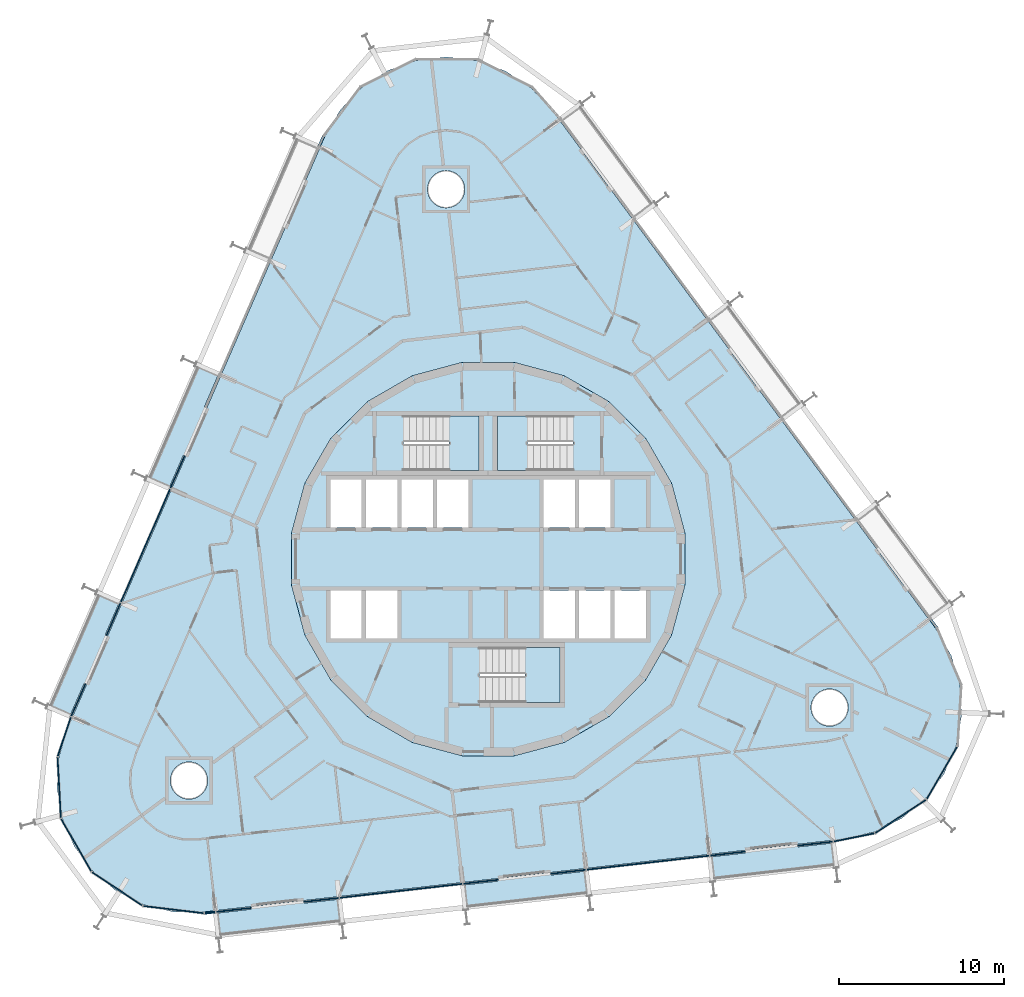
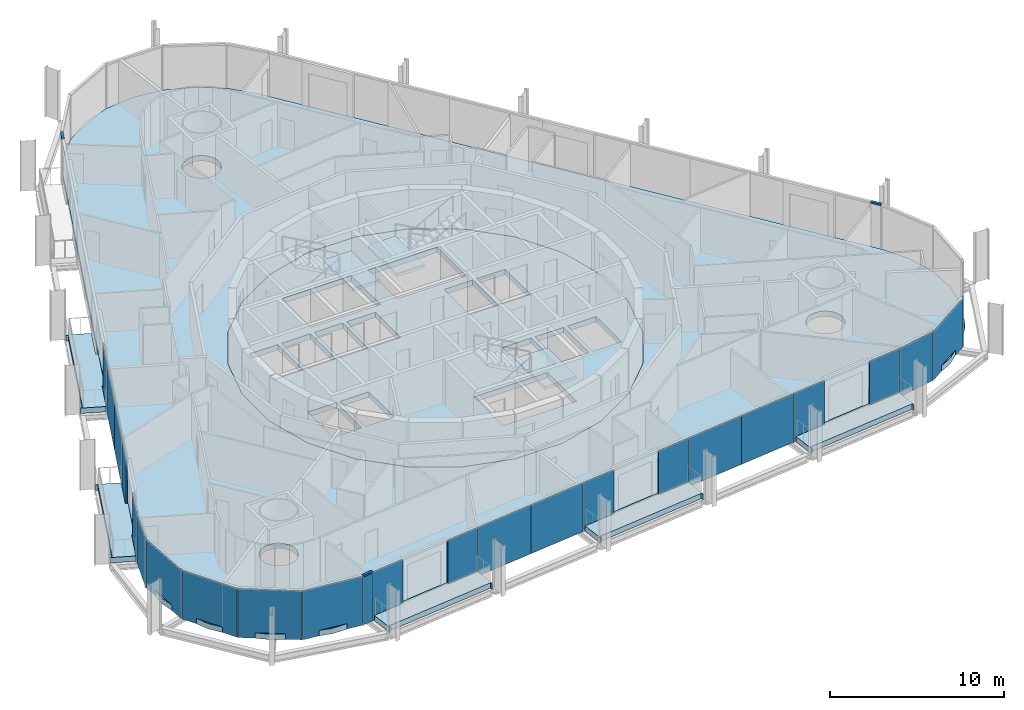
# One storey, part 12 of 22: 24 plates, 10 slabs, 3 members, 8 elements without a shape of their own.
"""IFC4 building model written with IfcOpenShell, lengths in metres."""

import ifcopenshell
import ifcopenshell.guid

model = None  # the IFC model being written
_history = None  # IfcOwnerHistory: only IFC2X3 demands one
_inside = {}  # id of a spatial element -> (the spatial element, [elements in it])
_under = {}  # id of a project, library or spatial element -> (it, [spatial elements below it])
_declared = {}  # id of a project -> (the project, [libraries it declares])
_typed = {}  # id of a type object -> (the type object, [elements of that type])
_made_of = {}  # id of a material, layer set ... -> (it, [elements and type objects made of it])


def new_model(schema):
    """Start an empty IFC model of exactly this schema.

    Asked for "IFC4X3", IfcOpenShell would pick the latest addendum, in which some entities
    have other attributes; the version numbers below select the first issue.
    IFC2X3 requires an IfcOwnerHistory on every rooted entity: one is made here for all.
    """
    global model, _history
    if schema == "IFC4X3":
        model = ifcopenshell.file(schema_version=(4, 3, 0, 0))
    else:
        model = ifcopenshell.file(schema=schema)
    _inside.clear()
    _under.clear()
    _declared.clear()
    _typed.clear()
    _made_of.clear()
    _history = None
    if model.schema == "IFC2X3":
        org = make("IfcOrganization", Name="unknown")
        user = make(
            "IfcPersonAndOrganization",
            ThePerson=make("IfcPerson", FamilyName="unknown"),
            TheOrganization=org,
        )
        app = make(
            "IfcApplication",
            ApplicationDeveloper=org,
            Version="unknown",
            ApplicationFullName="unknown",
            ApplicationIdentifier="unknown",
        )
        _history = make(
            "IfcOwnerHistory",
            OwningUser=user,
            OwningApplication=app,
            ChangeAction="ADDED",
            CreationDate=0,
        )
    return model


def make(cls, **values):
    """One entity of the class cls with the attributes given. An attribute that is None is left unset."""
    return model.create_entity(
        cls, **{name: value for name, value in values.items() if value is not None}
    )


def rooted(cls, **values):
    """An entity with a GlobalId (a new one), such as an element, a storey or a relation."""
    return make(cls, GlobalId=ifcopenshell.guid.new(), OwnerHistory=_history, **values)


def si_unit(unit_type, name, prefix=None):
    """IfcSIUnit, for example si_unit("LENGTHUNIT", "METRE", prefix="MILLI")."""
    return make("IfcSIUnit", UnitType=unit_type, Prefix=prefix, Name=name)


def assignment(units):
    """IfcUnitAssignment: the units of a project."""
    return None if units is None else make("IfcUnitAssignment", Units=units)


def point(xyz):
    """IfcCartesianPoint."""
    return None if xyz is None else make("IfcCartesianPoint", Coordinates=xyz)


def direction(xyz):
    """IfcDirection."""
    return None if xyz is None else make("IfcDirection", DirectionRatios=xyz)


def frame(location, z_axis=None, x_axis=None):
    """IfcAxis2Placement3D, a coordinate frame: its origin and axes. An axis left out is left unset."""
    return make(
        "IfcAxis2Placement3D",
        Location=point(location),
        Axis=direction(z_axis),
        RefDirection=direction(x_axis),
    )


def frame_2d(location, x_axis=None):
    """IfcAxis2Placement2D, a coordinate frame in the plane: its origin and x axis."""
    return make(
        "IfcAxis2Placement2D", Location=point(location), RefDirection=direction(x_axis)
    )


def origin():
    """The frame at (0, 0, 0) with its axes left unset."""
    return frame((0.0, 0.0, 0.0))


def origin_2d():
    """The frame at (0, 0) in the plane with its x axis left unset."""
    return frame_2d((0.0, 0.0))


def place(relative_to, where):
    """IfcLocalPlacement: puts the frame where relative to a parent placement (None: the world)."""
    return make(
        "IfcLocalPlacement", PlacementRelTo=relative_to, RelativePlacement=where
    )


def context(
    kind, dimensions, precision=None, world=None, true_north=None, identifier=None
):
    """IfcGeometricRepresentationContext, for example the 3D "Model" context."""
    return make(
        "IfcGeometricRepresentationContext",
        ContextIdentifier=identifier,
        ContextType=kind,
        CoordinateSpaceDimension=dimensions,
        Precision=precision,
        WorldCoordinateSystem=world,
        TrueNorth=true_north,
    )


def subcontext(parent, identifier, kind, view, scale=None):
    """IfcGeometricRepresentationSubContext, for example "Body" below "Model"."""
    return make(
        "IfcGeometricRepresentationSubContext",
        ContextIdentifier=identifier,
        ContextType=kind,
        ParentContext=parent,
        TargetScale=scale,
        TargetView=view,
    )


def project(units=None, contexts=None):
    """IfcProject with its units and contexts."""
    return rooted(
        "IfcProject",
        Name="project",
        RepresentationContexts=contexts,
        UnitsInContext=assignment(units),
    )


def spatial(cls, under=None, at=None, **own):
    """A site, building, storey or space (cls), placed at a placement, below another one or the project."""
    s = rooted(cls, ObjectPlacement=at, **own)
    if under is not None:
        _under.setdefault(under.id(), (under, []))[1].append(s)
    return s


def polyline(points):
    """IfcPolyline through the points."""
    return make("IfcPolyline", Points=[point(p) for p in points])


def profile(cls, at=None, kind="AREA", **sizes):
    """A parametric profile (cls). Its sizes go by their IFC names, for example OverallWidth=200.0."""
    return make(cls, ProfileType=kind, Position=at, **sizes)


def rectangle(**sizes):
    """IfcRectangleProfileDef."""
    return profile("IfcRectangleProfileDef", **sizes)


def outline(outer, holes=None, kind="AREA"):
    """IfcArbitraryClosedProfileDef: a profile drawn as a closed curve; with holes, ...WithVoids."""
    if holes is None:
        return make("IfcArbitraryClosedProfileDef", ProfileType=kind, OuterCurve=outer)
    return make(
        "IfcArbitraryProfileDefWithVoids",
        ProfileType=kind,
        OuterCurve=outer,
        InnerCurves=holes,
    )


def extrude(swept, where, along, depth):
    """IfcExtrudedAreaSolid: the profile swept, set in the frame where, extruded along a direction by depth."""
    return make(
        "IfcExtrudedAreaSolid",
        SweptArea=swept,
        Position=where,
        ExtrudedDirection=direction(along),
        Depth=depth,
    )


def shape(context_of_items, identifier, shape_type, items):
    """IfcShapeRepresentation: the items that make up one representation, for example the "Body"."""
    return make(
        "IfcShapeRepresentation",
        ContextOfItems=context_of_items,
        RepresentationIdentifier=identifier,
        RepresentationType=shape_type,
        Items=items,
    )


def material(Name=None, Category=None):
    """IfcMaterial."""
    return make("IfcMaterial", Name=Name, Category=Category)


def layer(
    of_material, thickness, ventilated=None, Name=None, Category=None, Priority=None
):
    """IfcMaterialLayer: one layer of a wall or slab, of a material (None: an air gap)."""
    return make(
        "IfcMaterialLayer",
        Material=of_material,
        LayerThickness=thickness,
        IsVentilated=ventilated,
        Name=Name,
        Category=Category,
        Priority=Priority,
    )


def layer_set(layers, Name=None):
    """IfcMaterialLayerSet."""
    return make("IfcMaterialLayerSet", MaterialLayers=layers, LayerSetName=Name)


def material_profile(
    of_material, cross_section, Name=None, Category=None, Priority=None
):
    """IfcMaterialProfile: a cross section and its material."""
    return make(
        "IfcMaterialProfile",
        Name=Name,
        Material=of_material,
        Profile=cross_section,
        Priority=Priority,
        Category=Category,
    )


def profile_set(profiles, Name=None, composite=None):
    """IfcMaterialProfileSet."""
    return make(
        "IfcMaterialProfileSet",
        Name=Name,
        MaterialProfiles=profiles,
        CompositeProfile=composite,
    )


def made_of(thing, what):
    """Note that an element or type object is made of a material, layer set ...; save() writes the relation."""
    if what is not None:
        _made_of.setdefault(what.id(), (what, []))[1].append(thing)
    return thing


def type_object(cls, material=None, **own):
    """A type object (cls), such as IfcWallType, which elements share."""
    return made_of(rooted(cls, **own), material)


def element(
    cls,
    number,
    at=None,
    inside=None,
    cuts=None,
    type_object=None,
    material=None,
    context=None,
    identifier="Body",
    shape_type=None,
    held_by="IfcProductDefinitionShape",
    body=None,
    shapes=None,
    **own,
):
    """One element of the class cls, such as IfcWall. Its Tag is "e" and its number.

    at: its placement. inside: the storey or other place that contains it. cuts: it is an
    opening in that element (IfcRelVoidsElement). A single representation is given by context,
    identifier, shape_type and body (its items); several are given by shapes. held_by: the class
    of the entity that holds the representations. save() writes the other relations.
    """
    e = rooted(cls, Tag="e%d" % number, ObjectPlacement=at, **own)
    if body is not None:
        shapes = [shape(context, identifier, shape_type, body)]
    if shapes is not None:
        e.Representation = make(held_by, Representations=shapes)
    if inside is not None:
        _inside.setdefault(inside.id(), (inside, []))[1].append(e)
    if cuts is not None:
        rooted(
            "IfcRelVoidsElement", RelatingBuildingElement=cuts, RelatedOpeningElement=e
        )
    if type_object is not None:
        _typed.setdefault(type_object.id(), (type_object, []))[1].append(e)
    return made_of(e, material)


def aggregate(whole, parts):
    """IfcRelAggregates: a whole, such as a stair, and the parts it consists of."""
    return rooted("IfcRelAggregates", RelatingObject=whole, RelatedObjects=parts)


def save(model, path):
    """Write the relations noted so far, then the file.

    IfcRelAggregates (storeys below a building ...), IfcRelContainedInSpatialStructure (elements
    in a storey), IfcRelDefinesByType, IfcRelAssociatesMaterial and IfcRelDeclares: one each for
    every whole, place, type object, material and project.
    """
    for whole, parts in _under.values():
        aggregate(whole, parts)
    for where, things in _inside.values():
        rooted(
            "IfcRelContainedInSpatialStructure",
            RelatedElements=things,
            RelatingStructure=where,
        )
    for kind, things in _typed.values():
        rooted("IfcRelDefinesByType", RelatedObjects=things, RelatingType=kind)
    for what, things in _made_of.values():
        rooted("IfcRelAssociatesMaterial", RelatedObjects=things, RelatingMaterial=what)
    for by, libraries in _declared.values():
        rooted("IfcRelDeclares", RelatingContext=by, RelatedDefinitions=libraries)
    model.write(path)


model = new_model("IFC4")

# Units and contexts
model_context = context("Model", 3, precision=1e-05, world=origin(), true_north=direction((0.0, 1.0)))
body_context = subcontext(model_context, "Body", "Model", "MODEL_VIEW")
ifc_project = project(units=[si_unit("LENGTHUNIT", "METRE"), si_unit("AREAUNIT", "SQUARE_METRE"), si_unit("VOLUMEUNIT", "CUBIC_METRE"), si_unit("PLANEANGLEUNIT", "RADIAN"), si_unit("MASSUNIT", "GRAM", prefix="KILO")], contexts=[model_context])

# Site, building, storey
site_placement = place(None, origin())
site = spatial("IfcSite", under=ifc_project, at=site_placement, CompositionType="ELEMENT")
building_placement = place(site_placement, origin())
building = spatial("IfcBuilding", under=site, at=building_placement, Name="Spindle Arch Residences", CompositionType="ELEMENT")
storey_placement = place(building_placement, frame((0.0, 0.0, 80.199951171875)))
storey = spatial("IfcBuildingStorey", under=building, at=storey_placement, Name="L18", CompositionType="ELEMENT", Elevation=80.199951171875)

# Curtain wall, member
ifc_material_1 = material(Name="Aluminium bronze unitised frame with tinted glass", Category="aluminium")
ifc_layer_1 = layer(ifc_material_1, 0.159912109375)
ifc_layer_set_1 = layer_set([ifc_layer_1], Name="CW-D corner wall on the fillet arcs")
curtain_wall_type_1 = type_object("IfcCurtainWallType", Name="CW-D corner wall on the fillet arcs", PredefinedType="NOTDEFINED", material=ifc_layer_set_1)
curtain_wall_1_placement = place(storey_placement, origin())
curtain_wall_1 = element("IfcCurtainWall", 1, at=curtain_wall_1_placement, inside=storey, type_object=curtain_wall_type_1, Name="CW-D L18 run 1", PredefinedType="NOTDEFINED")
ifc_material_2 = material(Name="Aluminium bronze anodised transom", Category="aluminium")
ifc_material_profile = material_profile(ifc_material_2, rectangle(XDim=0.159912109375, YDim=0.1201171875, at=origin_2d()), Name="TR 120x160")
ifc_profile_set = profile_set([ifc_material_profile], Name="Aluminium bronze anodised transom")
member_type = type_object("IfcMemberType", Name="Bronze transom 120x160", PredefinedType="USERDEFINED", material=ifc_profile_set)
member_1_placement = place(storey_placement, frame((27.125, -4.1474609375, 3.06005859375), z_axis=(-0.594872516249, 0.803820060344, 0.0), x_axis=(-0.803820060344, -0.594872516249, 0.0)))
member_1 = element("IfcMember", 2, at=member_1_placement, type_object=member_type, Name="CW-D transom 05", ObjectType="TRANSOM", PredefinedType="USERDEFINED", context=body_context, shape_type="SweptSolid", body=[
    extrude(rectangle(XDim=0.159912109375, YDim=0.1201171875, at=origin_2d()), origin(), (0.0, 0.0, 1.0), 0.641357421875),
])

curtain_wall_2_placement = place(storey_placement, origin())
curtain_wall_2 = element("IfcCurtainWall", 3, at=curtain_wall_2_placement, inside=storey, type_object=curtain_wall_type_1, Name="CW-D L18 run 3", PredefinedType="NOTDEFINED")
member_2_placement = place(storey_placement, frame((-9.970703125, 25.564697265625, 3.06005859375), z_axis=(-0.398461689222, -0.917184977102, 0.0), x_axis=(0.917184977102, -0.398461689222, 0.0)))
member_2 = element("IfcMember", 4, at=member_2_placement, type_object=member_type, Name="CW-D transom 05", ObjectType="TRANSOM", PredefinedType="USERDEFINED", context=body_context, shape_type="SweptSolid", body=[
    extrude(rectangle(XDim=0.159912109375, YDim=0.1201171875, at=origin_2d()), origin(), (0.0, 0.0, 1.0), 0.6416015625),
])
aggregate(curtain_wall_2, [member_2])

curtain_wall_3_placement = place(storey_placement, origin())
curtain_wall_3 = element("IfcCurtainWall", 5, at=curtain_wall_3_placement, inside=storey, type_object=curtain_wall_type_1, Name="CW-D L18 run 5", PredefinedType="NOTDEFINED")
member_3_placement = place(storey_placement, frame((-17.154296875, -21.417236328125, 3.06005859375), z_axis=(0.993549832432, 0.113396342422, 0.0), x_axis=(-0.113396342422, 0.993549832432, 0.0)))
member_3 = element("IfcMember", 6, at=member_3_placement, type_object=member_type, Name="CW-D transom 05", ObjectType="TRANSOM", PredefinedType="USERDEFINED", context=body_context, shape_type="SweptSolid", body=[
    extrude(rectangle(XDim=0.159912109375, YDim=0.1201171875, at=origin_2d()), origin(), (0.0, 0.0, 1.0), 0.6416015625),
])

# Slabs
ifc_material_3 = material(Name="Concrete C40/50", Category="concrete")
ifc_layer_2 = layer(ifc_material_3, 0.3798828125)
ifc_layer_set_2 = layer_set([ifc_layer_2], Name="Balcony slab 380")
slab_type_1 = type_object("IfcSlabType", Name="Balcony slab 380", PredefinedType="FLOOR", material=ifc_layer_set_2)
slab_1_placement = place(storey_placement, frame((0.0, 0.0, -0.3798828125)))
element("IfcSlab", 7, at=slab_1_placement, inside=storey, type_object=slab_type_1, Name="Balcony L18 bay 2", PredefinedType="FLOOR", context=body_context, shape_type="SweptSolid", body=[
    extrude(outline(polyline([(13.64697265625, -19.48779296875), (13.7216796875, -19.4794921875), (13.70458984375, -19.330322265625), (20.876953125, -18.51318359375), (20.89404296875, -18.662109375), (20.968505859375, -18.65380859375), (20.7998046875, -17.17333984375), (18.728759765625, -17.4091796875), (18.710693359375, -17.250244140625), (15.53125, -17.612548828125), (15.54931640625, -17.771484375), (13.478271484375, -18.007568359375), (13.64697265625, -19.48779296875)])), origin(), (0.0, 0.0, 1.0), 0.3798828125),
])
slab_2_placement = place(storey_placement, frame((0.0, 0.0, -0.3798828125)))
element("IfcSlab", 8, at=slab_2_placement, inside=storey, type_object=slab_type_1, Name="Balcony L18 bay 16", PredefinedType="FLOOR", context=body_context, shape_type="SweptSolid", body=[
    extrude(outline(polyline([(-17.704345703125, 11.715576171875), (-17.734130859375, 11.64697265625), (-17.5966796875, 11.587158203125), (-20.47509765625, 4.967041015625), (-20.61279296875, 5.02685546875), (-20.642578125, 4.9580078125), (-19.276123046875, 4.36376953125), (-18.445068359375, 6.275390625), (-18.29833984375, 6.211669921875), (-17.022216796875, 9.146240234375), (-17.1689453125, 9.2099609375), (-16.337890625, 11.12158203125), (-17.704345703125, 11.715576171875)])), origin(), (0.0, 0.0, 1.0), 0.3798828125),
])
slab_3_placement = place(storey_placement, frame((0.0, 0.0, -0.3798828125)))
element("IfcSlab", 9, at=slab_3_placement, inside=storey, type_object=slab_type_1, Name="Balcony L18 bay 18", PredefinedType="FLOOR", context=body_context, shape_type="SweptSolid", body=[
    extrude(outline(polyline([(-23.700439453125, -2.07470703125), (-23.73046875, -2.1435546875), (-23.5927734375, -2.203369140625), (-26.471435546875, -8.823486328125), (-26.60888671875, -8.763671875), (-26.638916015625, -8.832275390625), (-25.2724609375, -9.426513671875), (-24.441162109375, -7.514892578125), (-24.29443359375, -7.578857421875), (-23.0185546875, -4.644287109375), (-23.165283203125, -4.580322265625), (-22.334228515625, -2.6689453125), (-23.700439453125, -2.07470703125)])), origin(), (0.0, 0.0, 1.0), 0.3798828125),
])
slab_4_placement = place(storey_placement, frame((0.0, 0.0, -0.3798828125)))
element("IfcSlab", 10, at=slab_4_placement, inside=storey, type_object=slab_type_1, Name="Balcony L18 bay 22", PredefinedType="FLOOR", context=body_context, shape_type="SweptSolid", body=[
    extrude(outline(polyline([(-16.23486328125, -22.892578125), (-16.160400390625, -22.884033203125), (-16.177490234375, -22.735107421875), (-9.0048828125, -21.917724609375), (-8.988037109375, -22.06689453125), (-8.91357421875, -22.058349609375), (-9.08203125, -20.577880859375), (-11.153076171875, -20.81396484375), (-11.171142578125, -20.655029296875), (-14.3505859375, -21.01708984375), (-14.33251953125, -21.176025390625), (-16.403564453125, -21.412109375), (-16.23486328125, -22.892578125)])), origin(), (0.0, 0.0, 1.0), 0.3798828125),
])
slab_5_placement = place(storey_placement, frame((0.0, 0.0, -0.3798828125)))
element("IfcSlab", 11, at=slab_5_placement, inside=storey, type_object=slab_type_1, Name="Balcony L18 bay 24", PredefinedType="FLOOR", context=body_context, shape_type="SweptSolid", body=[
    extrude(outline(polyline([(-1.2939453125, -21.190185546875), (-1.219482421875, -21.181640625), (-1.236328125, -21.03271484375), (5.93603515625, -20.215576171875), (5.953125, -20.364501953125), (6.027587890625, -20.35595703125), (5.85888671875, -18.875732421875), (3.787841796875, -19.111572265625), (3.769775390625, -18.95263671875), (0.59033203125, -19.31494140625), (0.6083984375, -19.473876953125), (-1.462646484375, -19.709716796875), (-1.2939453125, -21.190185546875)])), origin(), (0.0, 0.0, 1.0), 0.3798828125),
])
ifc_material_4 = material(Name="Concrete C50/60", Category="concrete")
ifc_layer_3 = layer(ifc_material_4, 0.3798828125)
ifc_layer_set_3 = layer_set([ifc_layer_3], Name="Core floor slab 380")
slab_type_2 = type_object("IfcSlabType", Name="Core floor slab 380", PredefinedType="FLOOR", material=ifc_layer_set_3)
slab_6_placement = place(storey_placement, frame((0.0, 0.0, -0.3798828125)))
element("IfcSlab", 12, at=slab_6_placement, inside=storey, type_object=slab_type_2, Name="Core floor L18", PredefinedType="FLOOR", context=body_context, shape_type="SweptSolid", body=[
    extrude(outline(polyline([(1.56640625, -11.897216796875), (4.59228515625, -11.086669921875), (7.30517578125, -9.520263671875), (9.520263671875, -7.30517578125), (11.086669921875, -4.59228515625), (11.897216796875, -1.56640625), (11.897216796875, 1.56640625), (11.086669921875, 4.59228515625), (9.520263671875, 7.30517578125), (7.30517578125, 9.520263671875), (4.59228515625, 11.086669921875), (1.56640625, 11.897216796875), (-1.56640625, 11.897216796875), (-4.59228515625, 11.086669921875), (-7.30517578125, 9.520263671875), (-9.520263671875, 7.30517578125), (-11.086669921875, 4.59228515625), (-11.897216796875, 1.56640625), (-11.897216796875, -1.56640625), (-11.086669921875, -4.59228515625), (-9.520263671875, -7.30517578125), (-7.30517578125, -9.520263671875), (-4.59228515625, -11.086669921875), (-1.56640625, -11.897216796875), (1.56640625, -11.897216796875)]), holes=[polyline([(-9.550048828125, 1.89990234375), (-7.64990234375, 1.89990234375), (-7.64990234375, 4.800048828125), (-9.550048828125, 4.800048828125), (-9.550048828125, 1.89990234375)]), polyline([(-7.39990234375, 1.89990234375), (-5.5, 1.89990234375), (-5.5, 4.800048828125), (-7.39990234375, 4.800048828125), (-7.39990234375, 1.89990234375)]), polyline([(-5.25, 1.89990234375), (-3.35009765625, 1.89990234375), (-3.35009765625, 4.800048828125), (-5.25, 4.800048828125), (-5.25, 1.89990234375)]), polyline([(-3.10009765625, 1.89990234375), (-1.199951171875, 1.89990234375), (-1.199951171875, 4.800048828125), (-3.10009765625, 4.800048828125), (-3.10009765625, 1.89990234375)]), polyline([(3.35009765625, 1.89990234375), (5.25, 1.89990234375), (5.25, 4.800048828125), (3.35009765625, 4.800048828125), (3.35009765625, 1.89990234375)]), polyline([(5.5, 1.89990234375), (7.39990234375, 1.89990234375), (7.39990234375, 4.800048828125), (5.5, 4.800048828125), (5.5, 1.89990234375)]), polyline([(-9.550048828125, -4.800048828125), (-7.64990234375, -4.800048828125), (-7.64990234375, -1.89990234375), (-9.550048828125, -1.89990234375), (-9.550048828125, -4.800048828125)]), polyline([(-7.39990234375, -4.800048828125), (-5.5, -4.800048828125), (-5.5, -1.89990234375), (-7.39990234375, -1.89990234375), (-7.39990234375, -4.800048828125)]), polyline([(3.35009765625, -4.800048828125), (5.25, -4.800048828125), (5.25, -1.89990234375), (3.35009765625, -1.89990234375), (3.35009765625, -4.800048828125)]), polyline([(5.5, -4.800048828125), (7.39990234375, -4.800048828125), (7.39990234375, -1.89990234375), (5.5, -1.89990234375), (5.5, -4.800048828125)]), polyline([(7.64990234375, -4.800048828125), (9.550048828125, -4.800048828125), (9.550048828125, -1.89990234375), (7.64990234375, -1.89990234375), (7.64990234375, -4.800048828125)]), polyline([(5.1298828125, 8.669921875), (0.550048828125, 8.669921875), (0.550048828125, 5.35009765625), (5.1298828125, 5.35009765625), (5.1298828125, 8.669921875)]), polyline([(-5.1298828125, 5.35009765625), (-0.550048828125, 5.35009765625), (-0.550048828125, 8.669921875), (-5.1298828125, 8.669921875), (-5.1298828125, 5.35009765625)]), polyline([(-0.530029296875, -8.669921875), (4.35009765625, -8.669921875), (4.35009765625, -5.35009765625), (-0.530029296875, -5.35009765625), (-0.530029296875, -8.669921875)])]), origin(), (0.0, 0.0, 1.0), 0.3798828125),
])

# Stair, slab
ifc_material_5 = material(Name="Concrete C50/60", Category="concrete")
stair_type = type_object("IfcStairType", Name="Exit stair 16 risers", PredefinedType="HALF_TURN_STAIR", material=ifc_material_5)
stair_1_placement = place(storey_placement, origin())
stair_1 = element("IfcStair", 13, at=stair_1_placement, inside=storey, type_object=stair_type, Name="L18 Exit stair ST1", PredefinedType="HALF_TURN_STAIR")
ifc_material_6 = material(Name="Concrete C50/60", Category="concrete")
ifc_layer_4 = layer(ifc_material_6, 0.219970703125)
ifc_layer_set_4 = layer_set([ifc_layer_4], Name="Exit stair landing 220")
slab_type_3 = type_object("IfcSlabType", Name="Exit stair landing 220", PredefinedType="LANDING", material=ifc_layer_set_4)
slab_7_placement = place(storey_placement, frame((0.0, 0.0, 1.530029296875)))
slab_7 = element("IfcSlab", 14, at=slab_7_placement, type_object=slab_type_3, Name="ST1 landing 1", PredefinedType="LANDING", context=body_context, shape_type="SweptSolid", body=[
    extrude(outline(polyline([(2.3701171875, 8.669921875), (0.550048828125, 8.669921875), (0.550048828125, 5.35009765625), (2.3701171875, 5.35009765625), (2.3701171875, 8.669921875)])), origin(), (0.0, 0.0, 1.0), 0.219970703125),
])
aggregate(stair_1, [slab_7])

stair_2_placement = place(storey_placement, origin())
stair_2 = element("IfcStair", 15, at=stair_2_placement, inside=storey, type_object=stair_type, Name="L18 Exit stair ST2", PredefinedType="HALF_TURN_STAIR")
slab_8_placement = place(storey_placement, frame((0.0, 0.0, 1.530029296875)))
slab_8 = element("IfcSlab", 16, at=slab_8_placement, type_object=slab_type_3, Name="ST2 landing 1", PredefinedType="LANDING", context=body_context, shape_type="SweptSolid", body=[
    extrude(outline(polyline([(-2.3701171875, 5.35009765625), (-0.550048828125, 5.35009765625), (-0.550048828125, 8.669921875), (-2.3701171875, 8.669921875), (-2.3701171875, 5.35009765625)])), origin(), (0.0, 0.0, 1.0), 0.219970703125),
])
aggregate(stair_2, [slab_8])

stair_3_placement = place(storey_placement, origin())
stair_3 = element("IfcStair", 17, at=stair_3_placement, inside=storey, type_object=stair_type, Name="L18 Exit stair ST3", PredefinedType="HALF_TURN_STAIR")
slab_9_placement = place(storey_placement, frame((0.0, 0.0, 1.530029296875)))
slab_9 = element("IfcSlab", 18, at=slab_9_placement, type_object=slab_type_3, Name="ST3 landing 1", PredefinedType="LANDING", context=body_context, shape_type="SweptSolid", body=[
    extrude(outline(polyline([(2.22998046875, -8.669921875), (4.35009765625, -8.669921875), (4.35009765625, -5.35009765625), (2.22998046875, -5.35009765625), (2.22998046875, -8.669921875)])), origin(), (0.0, 0.0, 1.0), 0.219970703125),
])
aggregate(stair_3, [slab_9])

# Slab
ifc_material_7 = material(Name="Concrete C40/50", Category="concrete")
ifc_layer_5 = layer(ifc_material_7, 0.3798828125)
ifc_layer_set_5 = layer_set([ifc_layer_5], Name="Floor slab 380")
slab_type_4 = type_object("IfcSlabType", Name="Floor slab 380", PredefinedType="FLOOR", material=ifc_layer_set_5)
slab_10_placement = place(storey_placement, frame((0.0, 0.0, -0.3798828125)))
element("IfcSlab", 19, at=slab_10_placement, inside=storey, type_object=slab_type_4, Name="Floor slab L18", PredefinedType="FLOOR", context=body_context, shape_type="SweptSolid", body=[
    extrude(outline(polyline([(-19.05078125, -21.335693359375), (-20.85693359375, -20.902099609375), (-22.514404296875, -20.0634765625), (-23.933837890625, -18.865478515625), (-25.038818359375, -17.372314453125), (-25.769287109375, -15.66455078125), (-26.086669921875, -13.83447265625), (-25.973388671875, -11.98046875), (-25.435302734375, -10.202392578125), (-9.88525390625, 25.560302734375), (-8.951904296875, 27.166259765625), (-7.673095703125, 28.513671875), (-6.118408203125, 29.52978515625), (-4.37109375, 30.159912109375), (-2.525390625, 30.370361328125), (-0.68115234375, 30.1494140625), (1.0625, 29.5087890625), (2.611328125, 28.483642578125), (3.882080078125, 27.12890625), (27.07861328125, -4.21923828125), (28.002685546875, -5.83056640625), (28.530029296875, -7.611572265625), (28.6328125, -9.46630859375), (28.304931640625, -11.294677734375), (27.564208984375, -12.998046875), (26.45068359375, -14.484619140625), (25.0244140625, -15.674560546875), (23.36181640625, -16.50341796875), (21.55322265625, -16.926513671875), (2.179931640625, -19.1337890625), (-17.193115234375, -21.341064453125), (-19.05078125, -21.335693359375)]), holes=[polyline([(7.30517578125, -9.520263671875), (9.520263671875, -7.30517578125), (11.086669921875, -4.59228515625), (11.897216796875, -1.56640625), (11.897216796875, 1.56640625), (11.086669921875, 4.59228515625), (9.520263671875, 7.30517578125), (7.30517578125, 9.520263671875), (4.59228515625, 11.086669921875), (1.56640625, 11.897216796875), (-1.56640625, 11.897216796875), (-4.59228515625, 11.086669921875), (-7.30517578125, 9.520263671875), (-9.520263671875, 7.30517578125), (-11.086669921875, 4.59228515625), (-11.897216796875, 1.56640625), (-11.897216796875, -1.56640625), (-11.086669921875, -4.59228515625), (-9.520263671875, -7.30517578125), (-7.30517578125, -9.520263671875), (-4.59228515625, -11.086669921875), (-1.56640625, -11.897216796875), (1.56640625, -11.897216796875), (4.59228515625, -11.086669921875), (7.30517578125, -9.520263671875)]), polyline([(-17.303466796875, -14.18798828125), (-17.16357421875, -14.017578125), (-17.0595703125, -13.822998046875), (-16.99560546875, -13.612060546875), (-16.973876953125, -13.392578125), (-16.99560546875, -13.173095703125), (-17.0595703125, -12.9619140625), (-17.16357421875, -12.767578125), (-17.303466796875, -12.596923828125), (-17.473876953125, -12.45703125), (-17.66845703125, -12.35302734375), (-17.87939453125, -12.2890625), (-18.098876953125, -12.267578125), (-18.318359375, -12.2890625), (-18.529296875, -12.35302734375), (-18.723876953125, -12.45703125), (-18.894287109375, -12.596923828125), (-19.0341796875, -12.767578125), (-19.13818359375, -12.9619140625), (-19.202392578125, -13.173095703125), (-19.223876953125, -13.392578125), (-19.202392578125, -13.612060546875), (-19.13818359375, -13.822998046875), (-19.0341796875, -14.017578125), (-18.894287109375, -14.18798828125), (-18.723876953125, -14.327880859375), (-18.529296875, -14.431884765625), (-18.318359375, -14.495849609375), (-18.098876953125, -14.517578125), (-17.87939453125, -14.495849609375), (-17.66845703125, -14.431884765625), (-17.473876953125, -14.327880859375), (-17.303466796875, -14.18798828125)]), polyline([(-1.75341796875, 21.57470703125), (-1.61328125, 21.745361328125), (-1.509521484375, 21.939697265625), (-1.4453125, 22.15087890625), (-1.423828125, 22.370361328125), (-1.4453125, 22.58984375), (-1.509521484375, 22.80078125), (-1.61328125, 22.995361328125), (-1.75341796875, 23.165771484375), (-1.923828125, 23.3056640625), (-2.118408203125, 23.40966796875), (-2.329345703125, 23.4736328125), (-2.548828125, 23.495361328125), (-2.768310546875, 23.4736328125), (-2.979248046875, 23.40966796875), (-3.173828125, 23.3056640625), (-3.34423828125, 23.165771484375), (-3.484130859375, 22.995361328125), (-3.588134765625, 22.80078125), (-3.652099609375, 22.58984375), (-3.673828125, 22.370361328125), (-3.652099609375, 22.15087890625), (-3.588134765625, 21.939697265625), (-3.484130859375, 21.745361328125), (-3.34423828125, 21.57470703125), (-3.173828125, 21.434814453125), (-2.979248046875, 21.330810546875), (-2.768310546875, 21.266845703125), (-2.548828125, 21.245361328125), (-2.329345703125, 21.266845703125), (-2.118408203125, 21.330810546875), (-1.923828125, 21.434814453125), (-1.75341796875, 21.57470703125)]), polyline([(21.443115234375, -9.773193359375), (21.5830078125, -9.602783203125), (21.68701171875, -9.408203125), (21.7509765625, -9.197265625), (21.772705078125, -8.977783203125), (21.7509765625, -8.75830078125), (21.68701171875, -8.54736328125), (21.5830078125, -8.352783203125), (21.443115234375, -8.182373046875), (21.272705078125, -8.04248046875), (21.078125, -7.9384765625), (20.8671875, -7.87451171875), (20.647705078125, -7.852783203125), (20.427978515625, -7.87451171875), (20.217041015625, -7.9384765625), (20.022705078125, -8.04248046875), (19.85205078125, -8.182373046875), (19.712158203125, -8.352783203125), (19.608154296875, -8.54736328125), (19.544189453125, -8.75830078125), (19.522705078125, -8.977783203125), (19.544189453125, -9.197265625), (19.608154296875, -9.408203125), (19.712158203125, -9.602783203125), (19.85205078125, -9.773193359375), (20.022705078125, -9.9130859375), (20.217041015625, -10.01708984375), (20.427978515625, -10.081298828125), (20.647705078125, -10.102783203125), (20.8671875, -10.081298828125), (21.078125, -10.01708984375), (21.272705078125, -9.9130859375), (21.443115234375, -9.773193359375)])]), origin(), (0.0, 0.0, 1.0), 0.3798828125),
])

# Plate
ifc_material_8 = material(Name="Tinted double glazing over non-combustible spandrel zone with 0.55 mm stainless steel cavity fire stop (K0)", Category="steel")
ifc_layer_6 = layer(ifc_material_8, 0.070068359375)
ifc_layer_set_6 = layer_set([ifc_layer_6], Name="Unitised glass panel with spandrel zone and stainless cavity fire stop")
plate_type = type_object("IfcPlateType", Name="Unitised glass panel with spandrel zone and stainless cavity fire stop", PredefinedType="CURTAIN_PANEL", material=ifc_layer_set_6)
plate_1_placement = place(storey_placement, frame((22.127197265625, -16.83203125, -0.3798828125), z_axis=(0.0, 0.0, 1.0), x_axis=(0.980430998553, 0.196863041416, 0.0)))
plate_1 = element("IfcPlate", 20, at=plate_1_placement, type_object=plate_type, Name="CW-D unit 00", PredefinedType="CURTAIN_PANEL", context=body_context, shape_type="SweptSolid", body=[
    extrude(rectangle(XDim=2.51416015625, YDim=0.070068359375, at=origin_2d()), origin(), (0.0, 0.0, 1.0), 3.3798828125),
])

plate_2_placement = place(storey_placement, frame((24.948974609375, -15.55908203125, -0.3798828125), z_axis=(0.0, 0.0, 1.0), x_axis=(0.83708272954, 0.547076323657, 0.0)))
plate_2 = element("IfcPlate", 21, at=plate_2_placement, type_object=plate_type, Name="CW-D unit 01", PredefinedType="CURTAIN_PANEL", context=body_context, shape_type="SweptSolid", body=[
    extrude(rectangle(XDim=3.666748046875, YDim=0.070068359375, at=origin_2d()), origin(), (0.0, 0.0, 1.0), 3.3798828125),
])

plate_3_placement = place(storey_placement, frame((27.445068359375, -12.9287109375, -0.3798828125), z_axis=(0.0, 0.0, 1.0), x_axis=(0.502517045345, 0.864567301682, 0.0)))
plate_3 = element("IfcPlate", 22, at=plate_3_placement, type_object=plate_type, Name="CW-D unit 02", PredefinedType="CURTAIN_PANEL", context=body_context, shape_type="SweptSolid", body=[
    extrude(rectangle(XDim=3.666748046875, YDim=0.070068359375, at=origin_2d()), origin(), (0.0, 0.0, 1.0), 3.3798828125),
])

aggregate(curtain_wall_1, [plate_1, plate_2, plate_3, member_1])

# Curtain wall, plates
ifc_material_9 = material(Name="Aluminium bronze unitised frame with tinted glass", Category="aluminium")
ifc_layer_7 = layer(ifc_material_9, 0.159912109375)
ifc_layer_set_7 = layer_set([ifc_layer_7], Name="CW-C typical residential unitised wall")
curtain_wall_type_2 = type_object("IfcCurtainWallType", Name="CW-C typical residential unitised wall", PredefinedType="NOTDEFINED", material=ifc_layer_set_7)
curtain_wall_4_placement = place(storey_placement, origin())
curtain_wall_4 = element("IfcCurtainWall", 23, at=curtain_wall_4_placement, inside=storey, type_object=curtain_wall_type_2, Name="CW-C L18 run 4", PredefinedType="NOTDEFINED")
plate_4_placement = place(storey_placement, frame((-18.796142578125, 5.26708984375, -0.3798828125), z_axis=(0.0, 0.0, 1.0), x_axis=(-0.398749068925, -0.917060074385, 0.0)))
plate_4 = element("IfcPlate", 24, at=plate_4_placement, type_object=plate_type, Name="CW-C unit 15R", PredefinedType="CURTAIN_PANEL", context=body_context, shape_type="SweptSolid", body=[
    extrude(rectangle(XDim=2.12939453125, YDim=0.070068359375, at=origin_2d()), origin(), (0.0, 0.0, 1.0), 3.3798828125),
])
plate_5_placement = place(storey_placement, frame((-19.98828125, 2.525634765625, -0.3798828125), z_axis=(0.0, 0.0, 1.0), x_axis=(-0.398749068925, -0.917060074385, 0.0)))
plate_5 = element("IfcPlate", 25, at=plate_5_placement, type_object=plate_type, Name="CW-C unit 16A", PredefinedType="CURTAIN_PANEL", context=body_context, shape_type="SweptSolid", body=[
    extrude(rectangle(XDim=3.7294921875, YDim=0.070068359375, at=origin_2d()), origin(), (0.0, 0.0, 1.0), 3.3798828125),
])
plate_6_placement = place(storey_placement, frame((-21.475341796875, -0.89453125, -0.3798828125), z_axis=(0.0, 0.0, 1.0), x_axis=(-0.398749068925, -0.917060074385, 0.0)))
plate_6 = element("IfcPlate", 26, at=plate_6_placement, type_object=plate_type, Name="CW-C unit 16B", PredefinedType="CURTAIN_PANEL", context=body_context, shape_type="SweptSolid", body=[
    extrude(rectangle(XDim=3.7294921875, YDim=0.070068359375, at=origin_2d()), origin(), (0.0, 0.0, 1.0), 3.3798828125),
])
plate_7_placement = place(storey_placement, frame((-22.66748046875, -3.635986328125, -0.3798828125), z_axis=(0.0, 0.0, 1.0), x_axis=(-0.398749068925, -0.917060074385, 0.0)))
plate_7 = element("IfcPlate", 27, at=plate_7_placement, type_object=plate_type, Name="CW-C unit 17L", PredefinedType="CURTAIN_PANEL", context=body_context, shape_type="SweptSolid", body=[
    extrude(rectangle(XDim=2.12939453125, YDim=0.070068359375, at=origin_2d()), origin(), (0.0, 0.0, 1.0), 3.3798828125),
])
plate_8_placement = place(storey_placement, frame((-24.79248046875, -8.523193359375, -0.3798828125), z_axis=(0.0, 0.0, 1.0), x_axis=(-0.398749068925, -0.917060074385, 0.0)))
plate_8 = element("IfcPlate", 28, at=plate_8_placement, type_object=plate_type, Name="CW-C unit 17R", PredefinedType="CURTAIN_PANEL", context=body_context, shape_type="SweptSolid", body=[
    extrude(rectangle(XDim=2.12939453125, YDim=0.070068359375, at=origin_2d()), origin(), (0.0, 0.0, 1.0), 3.3798828125),
])
aggregate(curtain_wall_4, [plate_4, plate_5, plate_6, plate_7, plate_8])

# Plate
plate_9_placement = place(storey_placement, frame((-25.640380859375, -10.746826171875, -0.3798828125), z_axis=(0.0, 0.0, 1.0), x_axis=(-0.319727106941, -0.947509671237, 0.0)))
plate_9 = element("IfcPlate", 29, at=plate_9_placement, type_object=plate_type, Name="CW-D unit 00", PredefinedType="CURTAIN_PANEL", context=body_context, shape_type="SweptSolid", body=[
    extrude(rectangle(XDim=2.51416015625, YDim=0.070068359375, at=origin_2d()), origin(), (0.0, 0.0, 1.0), 3.3798828125),
])

plate_10_placement = place(storey_placement, frame((-25.948974609375, -13.82666015625, -0.3798828125), z_axis=(0.0, 0.0, 1.0), x_axis=(0.055240622495, -0.998473071057, 0.0)))
plate_10 = element("IfcPlate", 30, at=plate_10_placement, type_object=plate_type, Name="CW-D unit 01", PredefinedType="CURTAIN_PANEL", context=body_context, shape_type="SweptSolid", body=[
    extrude(rectangle(XDim=3.666748046875, YDim=0.070068359375, at=origin_2d()), origin(), (0.0, 0.0, 1.0), 3.3798828125),
])

plate_11_placement = place(storey_placement, frame((-24.919189453125, -17.3037109375, -0.3798828125), z_axis=(0.0, 0.0, 1.0), x_axis=(0.497478721595, -0.867476179247, 0.0)))
plate_11 = element("IfcPlate", 31, at=plate_11_placement, type_object=plate_type, Name="CW-D unit 02", PredefinedType="CURTAIN_PANEL", context=body_context, shape_type="SweptSolid", body=[
    extrude(rectangle(XDim=3.666748046875, YDim=0.070068359375, at=origin_2d()), origin(), (0.0, 0.0, 1.0), 3.3798828125),
])

plate_12_placement = place(storey_placement, frame((-22.438232421875, -19.94873046875, -0.3798828125), z_axis=(0.0, 0.0, 1.0), x_axis=(0.833885820352, -0.551936987903, 0.0)))
plate_12 = element("IfcPlate", 32, at=plate_12_placement, type_object=plate_type, Name="CW-D unit 03", PredefinedType="CURTAIN_PANEL", context=body_context, shape_type="SweptSolid", body=[
    extrude(rectangle(XDim=3.666748046875, YDim=0.070068359375, at=origin_2d()), origin(), (0.0, 0.0, 1.0), 3.3798828125),
])

plate_13_placement = place(storey_placement, frame((-19.034423828125, -21.19873046875, -0.3798828125), z_axis=(0.0, 0.0, 1.0), x_axis=(0.992896454881, -0.118981636756, 0.0)))
plate_13 = element("IfcPlate", 33, at=plate_13_placement, type_object=plate_type, Name="CW-D unit 04", PredefinedType="CURTAIN_PANEL", context=body_context, shape_type="SweptSolid", body=[
    extrude(rectangle(XDim=3.666748046875, YDim=0.070068359375, at=origin_2d()), origin(), (0.0, 0.0, 1.0), 3.3798828125),
])

plate_14_placement = place(storey_placement, frame((-16.835693359375, -21.380859375, -0.3798828125), z_axis=(0.0, 0.0, 1.0), x_axis=(0.993571855677, 0.113203213768, 0.0)))
plate_14 = element("IfcPlate", 34, at=plate_14_placement, type_object=plate_type, Name="CW-D unit 05", PredefinedType="CURTAIN_PANEL", context=body_context, shape_type="SweptSolid", body=[
    extrude(rectangle(XDim=0.6416015625, YDim=0.070068359375, at=origin_2d()), origin(), (0.0, 0.0, 1.0), 3.3798828125),
])

aggregate(curtain_wall_3, [plate_9, plate_10, plate_11, plate_12, plate_13, member_3, plate_14])

# Curtain wall, plates
curtain_wall_5_placement = place(storey_placement, origin())
curtain_wall_5 = element("IfcCurtainWall", 35, at=curtain_wall_5_placement, inside=storey, type_object=curtain_wall_type_2, Name="CW-C L18 run 6", PredefinedType="NOTDEFINED")
plate_15_placement = place(storey_placement, frame((-15.3994140625, -21.21728515625, -0.3798828125), z_axis=(0.0, 0.0, 1.0), x_axis=(0.993571855677, 0.113203213768, 0.0)))
plate_15 = element("IfcPlate", 36, at=plate_15_placement, type_object=plate_type, Name="CW-C unit 21L", PredefinedType="CURTAIN_PANEL", context=body_context, shape_type="SweptSolid", body=[
    extrude(rectangle(XDim=2.12939453125, YDim=0.070068359375, at=origin_2d()), origin(), (0.0, 0.0, 1.0), 3.3798828125),
])
plate_16_placement = place(storey_placement, frame((-10.104248046875, -20.61376953125, -0.3798828125), z_axis=(0.0, 0.0, 1.0), x_axis=(0.993571855677, 0.113203213768, 0.0)))
plate_16 = element("IfcPlate", 37, at=plate_16_placement, type_object=plate_type, Name="CW-C unit 21R", PredefinedType="CURTAIN_PANEL", context=body_context, shape_type="SweptSolid", body=[
    extrude(rectangle(XDim=2.12939453125, YDim=0.070068359375, at=origin_2d()), origin(), (0.0, 0.0, 1.0), 3.3798828125),
])
plate_17_placement = place(storey_placement, frame((-7.134033203125, -20.275390625, -0.3798828125), z_axis=(0.0, 0.0, 1.0), x_axis=(0.993571855677, 0.113203213768, 0.0)))
plate_17 = element("IfcPlate", 38, at=plate_17_placement, type_object=plate_type, Name="CW-C unit 22A", PredefinedType="CURTAIN_PANEL", context=body_context, shape_type="SweptSolid", body=[
    extrude(rectangle(XDim=3.7294921875, YDim=0.070068359375, at=origin_2d()), origin(), (0.0, 0.0, 1.0), 3.3798828125),
])
plate_18_placement = place(storey_placement, frame((-3.4287109375, -19.853271484375, -0.3798828125), z_axis=(0.0, 0.0, 1.0), x_axis=(0.993571855677, 0.113203213768, 0.0)))
plate_18 = element("IfcPlate", 39, at=plate_18_placement, type_object=plate_type, Name="CW-C unit 22B", PredefinedType="CURTAIN_PANEL", context=body_context, shape_type="SweptSolid", body=[
    extrude(rectangle(XDim=3.7294921875, YDim=0.070068359375, at=origin_2d()), origin(), (0.0, 0.0, 1.0), 3.3798828125),
])
plate_19_placement = place(storey_placement, frame((-0.45849609375, -19.514892578125, -0.3798828125), z_axis=(0.0, 0.0, 1.0), x_axis=(0.993571855677, 0.113203213768, 0.0)))
plate_19 = element("IfcPlate", 40, at=plate_19_placement, type_object=plate_type, Name="CW-C unit 23L", PredefinedType="CURTAIN_PANEL", context=body_context, shape_type="SweptSolid", body=[
    extrude(rectangle(XDim=2.12939453125, YDim=0.070068359375, at=origin_2d()), origin(), (0.0, 0.0, 1.0), 3.3798828125),
])
plate_20_placement = place(storey_placement, frame((4.836669921875, -18.91162109375, -0.3798828125), z_axis=(0.0, 0.0, 1.0), x_axis=(0.993571855677, 0.113203213768, 0.0)))
plate_20 = element("IfcPlate", 41, at=plate_20_placement, type_object=plate_type, Name="CW-C unit 23R", PredefinedType="CURTAIN_PANEL", context=body_context, shape_type="SweptSolid", body=[
    extrude(rectangle(XDim=2.12939453125, YDim=0.070068359375, at=origin_2d()), origin(), (0.0, 0.0, 1.0), 3.3798828125),
])
plate_21_placement = place(storey_placement, frame((7.806884765625, -18.5732421875, -0.3798828125), z_axis=(0.0, 0.0, 1.0), x_axis=(0.993571855677, 0.113203213768, 0.0)))
plate_21 = element("IfcPlate", 42, at=plate_21_placement, type_object=plate_type, Name="CW-C unit 00A", PredefinedType="CURTAIN_PANEL", context=body_context, shape_type="SweptSolid", body=[
    extrude(rectangle(XDim=3.7294921875, YDim=0.070068359375, at=origin_2d()), origin(), (0.0, 0.0, 1.0), 3.3798828125),
])
plate_22_placement = place(storey_placement, frame((11.51220703125, -18.15087890625, -0.3798828125), z_axis=(0.0, 0.0, 1.0), x_axis=(0.993571855677, 0.113203213768, 0.0)))
plate_22 = element("IfcPlate", 43, at=plate_22_placement, type_object=plate_type, Name="CW-C unit 00B", PredefinedType="CURTAIN_PANEL", context=body_context, shape_type="SweptSolid", body=[
    extrude(rectangle(XDim=3.7294921875, YDim=0.070068359375, at=origin_2d()), origin(), (0.0, 0.0, 1.0), 3.3798828125),
])
plate_23_placement = place(storey_placement, frame((14.482421875, -17.8125, -0.3798828125), z_axis=(0.0, 0.0, 1.0), x_axis=(0.993571855677, 0.113203213768, 0.0)))
plate_23 = element("IfcPlate", 44, at=plate_23_placement, type_object=plate_type, Name="CW-C unit 01L", PredefinedType="CURTAIN_PANEL", context=body_context, shape_type="SweptSolid", body=[
    extrude(rectangle(XDim=2.12939453125, YDim=0.070068359375, at=origin_2d()), origin(), (0.0, 0.0, 1.0), 3.3798828125),
])
plate_24_placement = place(storey_placement, frame((19.777587890625, -17.209228515625, -0.3798828125), z_axis=(0.0, 0.0, 1.0), x_axis=(0.993571855677, 0.113203213768, 0.0)))
plate_24 = element("IfcPlate", 45, at=plate_24_placement, type_object=plate_type, Name="CW-C unit 01R", PredefinedType="CURTAIN_PANEL", context=body_context, shape_type="SweptSolid", body=[
    extrude(rectangle(XDim=2.12939453125, YDim=0.070068359375, at=origin_2d()), origin(), (0.0, 0.0, 1.0), 3.3798828125),
])
aggregate(curtain_wall_5, [plate_15, plate_16, plate_17, plate_18, plate_19, plate_20, plate_21, plate_22, plate_23, plate_24])

save(model, "model.ifc")
